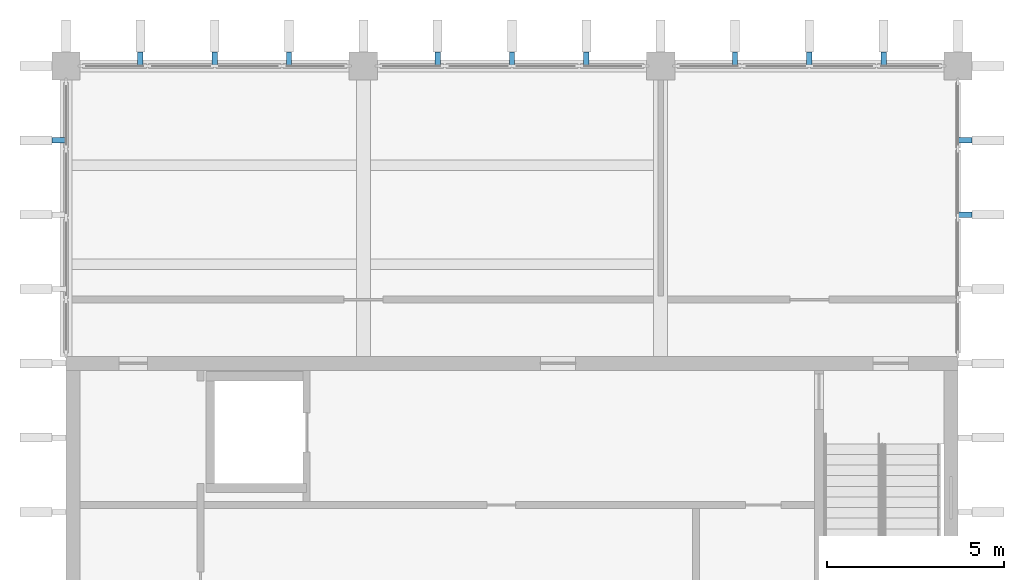
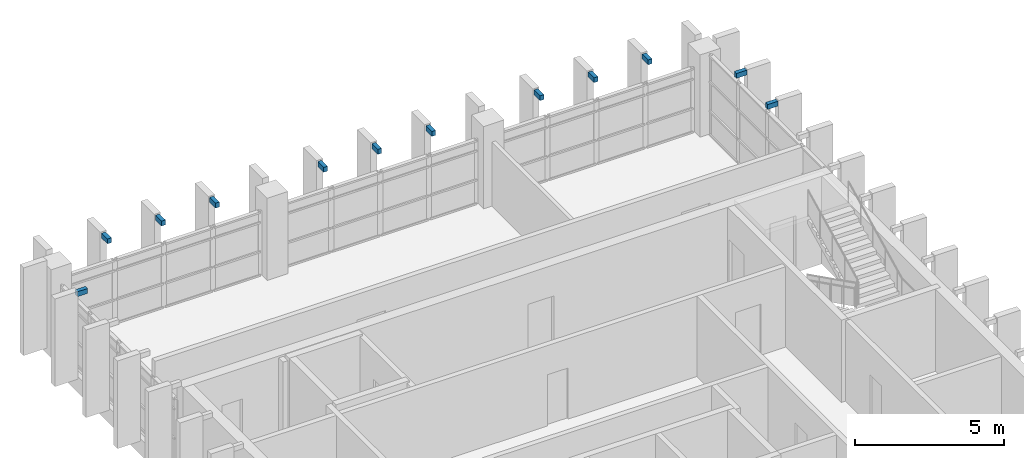
# One storey, part 9 of 11: 12 discrete accessories.
"""IFC4 building model written with IfcOpenShell, lengths in metres."""

from ifc_helpers import new_model, si_unit, direction, frame, origin, origin_2d, place, context, subcontext, project, spatial, rectangle, extrude, material, type_object, element, save


model = new_model("IFC4")

# Units and contexts
model_context = context("Model", 3, precision=1e-05, world=origin(), true_north=direction((0.0, 1.0)))
body_context = subcontext(model_context, "Body", "Model", "MODEL_VIEW")
ifc_project = project(units=[si_unit("LENGTHUNIT", "METRE"), si_unit("AREAUNIT", "SQUARE_METRE"), si_unit("VOLUMEUNIT", "CUBIC_METRE"), si_unit("PLANEANGLEUNIT", "RADIAN"), si_unit("MASSUNIT", "GRAM", prefix="KILO")], contexts=[model_context])

# Site, building, storey
site_placement = place(None, origin())
site = spatial("IfcSite", under=ifc_project, at=site_placement, CompositionType="ELEMENT")
building_placement = place(site_placement, origin())
building = spatial("IfcBuilding", under=site, at=building_placement, Name="Rulbaag Community and Learning Centre", CompositionType="ELEMENT")
storey_placement = place(building_placement, frame((0.0, 0.0, 43.199951171875)))
storey = spatial("IfcBuildingStorey", under=building, at=storey_placement, Name="L11", CompositionType="ELEMENT", Elevation=43.199951171875)

# Discrete accessories
ifc_material = material(Name="Steel E350", Category="steel")
discrete_accessory_type = type_object("IfcDiscreteAccessoryType", Name="BR-FN", PredefinedType="BRACKET", material=ifc_material)
for number, where, z_axis, x_axis, name in (
    (1, (144.89990234375, 117.800048828125, 3.35009765625), (0.0, 0.0, 1.0), (1.0, 0.0, 0.0), "Fin arm"),
    (2, (147.0, 117.800048828125, 3.35009765625), (0.0, 0.0, 1.0), (1.0, 0.0, 0.0), "Fin arm"),
    (3, (149.10009765625, 117.800048828125, 3.35009765625), (0.0, 0.0, 1.0), (1.0, 0.0, 0.0), "Fin arm"),
    (4, (153.300048828125, 117.800048828125, 3.35009765625), (0.0, 0.0, 1.0), (1.0, 0.0, 0.0), "Fin arm"),
    (5, (155.39990234375, 117.800048828125, 3.35009765625), (0.0, 0.0, 1.0), (1.0, 0.0, 0.0), "Fin arm"),
    (6, (157.5, 117.800048828125, 3.35009765625), (0.0, 0.0, 1.0), (1.0, 0.0, 0.0), "Fin arm"),
    (7, (161.699951171875, 117.800048828125, 3.35009765625), (0.0, 0.0, 1.0), (1.0, 0.0, 0.0), "Fin arm"),
    (8, (163.800048828125, 117.800048828125, 3.35009765625), (0.0, 0.0, 1.0), (1.0, 0.0, 0.0), "Fin arm"),
    (9, (165.89990234375, 117.800048828125, 3.35009765625), (0.0, 0.0, 1.0), (1.0, 0.0, 0.0), "Fin arm"),
):
    element("IfcDiscreteAccessory", number, at=place(storey_placement, frame(where, z_axis=z_axis, x_axis=x_axis)), inside=storey, type_object=discrete_accessory_type, Name=name, PredefinedType="BRACKET", context=body_context, shape_type="SweptSolid", body=[
        extrude(rectangle(XDim=0.14990234375, YDim=0.39990234375, at=origin_2d()), origin(), (0.0, 0.0, 1.0), 0.199951171875),
    ])
for number, where, z_axis, x_axis, name in (
    (10, (142.60009765625, 115.5, 3.35009765625), (0.0, 0.0, 1.0), (1.0, 0.0, 0.0), "Fin arm"),
    (11, (168.199951171875, 113.39990234375, 3.35009765625), (0.0, 0.0, 1.0), (1.0, 0.0, 0.0), "Fin arm"),
    (12, (168.199951171875, 115.5, 3.35009765625), (0.0, 0.0, 1.0), (1.0, 0.0, 0.0), "Fin arm"),
):
    element("IfcDiscreteAccessory", number, at=place(storey_placement, frame(where, z_axis=z_axis, x_axis=x_axis)), inside=storey, type_object=discrete_accessory_type, Name=name, PredefinedType="BRACKET", context=body_context, shape_type="SweptSolid", body=[
        extrude(rectangle(XDim=0.39990234375, YDim=0.14990234375, at=origin_2d()), origin(), (0.0, 0.0, 1.0), 0.199951171875),
    ])

save(model, "model.ifc")
